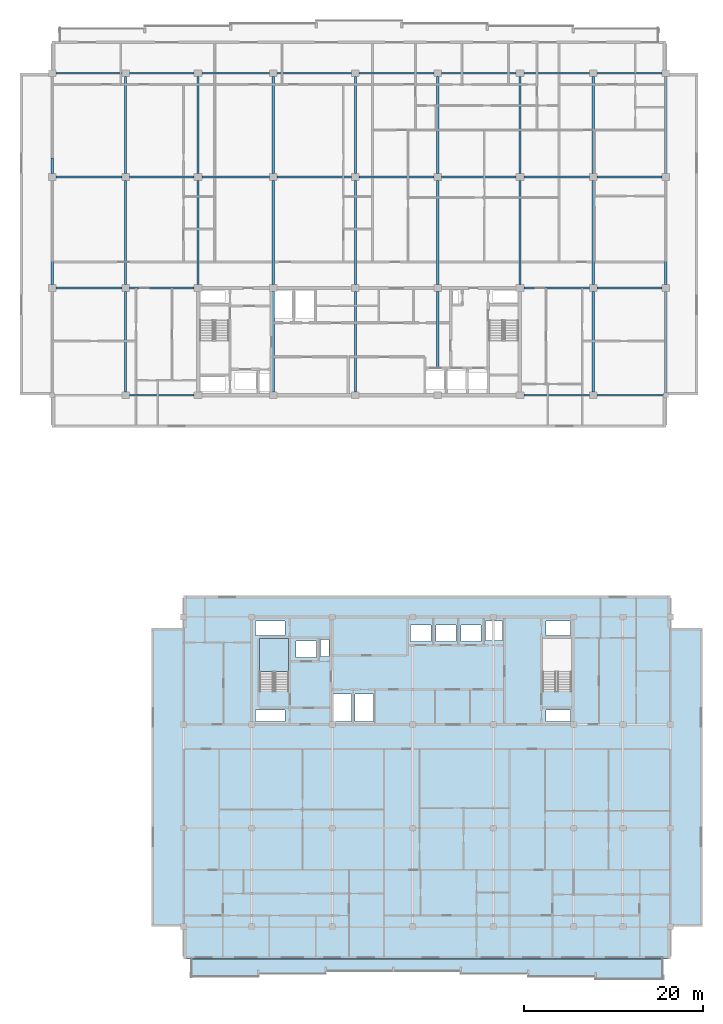
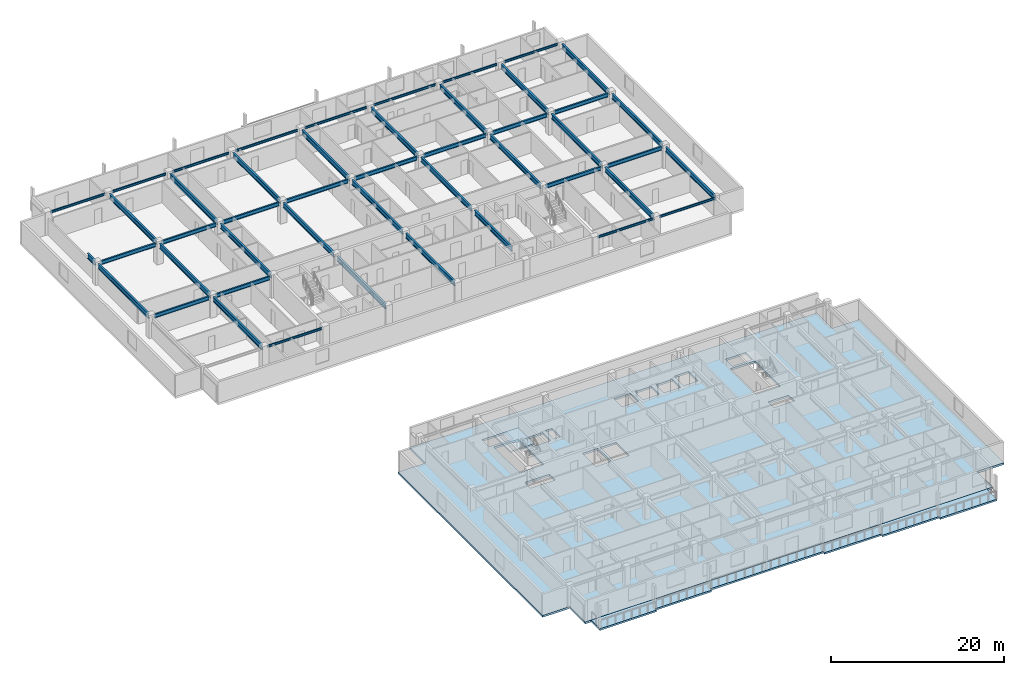
# One storey, part 2 of 22: 47 beams, 3 slabs, 1 element without a shape of its own.
"""IFC4 building model written with IfcOpenShell, lengths in metres."""

from ifc_helpers import new_model, si_unit, direction, frame, origin, origin_2d, place, context, subcontext, project, spatial, polyline, i_section, outline, extrude, material, layer, layer_set, material_profile, profile_set, type_object, element, aggregate, save


model = new_model("IFC4")

# Units and contexts
model_context = context("Model", 3, precision=1e-05, world=origin(), true_north=direction((0.0, 1.0)))
body_context = subcontext(model_context, "Body", "Model", "MODEL_VIEW")
ifc_project = project(units=[si_unit("LENGTHUNIT", "METRE"), si_unit("AREAUNIT", "SQUARE_METRE"), si_unit("VOLUMEUNIT", "CUBIC_METRE"), si_unit("PLANEANGLEUNIT", "RADIAN"), si_unit("MASSUNIT", "GRAM", prefix="KILO")], contexts=[model_context])

# Site, building, storey
site_placement = place(None, origin())
site = spatial("IfcSite", under=ifc_project, at=site_placement, CompositionType="ELEMENT")
building_placement = place(site_placement, origin())
building = spatial("IfcBuilding", under=site, at=building_placement, Name="Korimba Cascade Residences", CompositionType="ELEMENT")
storey_placement = place(building_placement, frame((0.0, 0.0, 194.60009765625)))
storey = spatial("IfcBuildingStorey", under=building, at=storey_placement, Name="L56", CompositionType="ELEMENT", Elevation=194.60009765625)

# Beams
ifc_material_1 = material(Name="Steel S355", Category="steel")
ifc_material_profile_1 = material_profile(ifc_material_1, i_section(OverallWidth=0.165771484375, OverallDepth=0.306640625, WebThickness=0.006591796875, FlangeThickness=0.01171875, FilletRadius=0.0087890625, at=origin_2d()), Name="Steel S355")
ifc_profile_set_1 = profile_set([ifc_material_profile_1], Name="Steel S355")
beam_type_1 = type_object("IfcBeamType", Name="BM-STL-UB305", PredefinedType="SPANDREL", material=ifc_profile_set_1)
beam_1_placement = place(storey_placement, frame((68.425048828125, 55.199951171875, 2.816650390625), z_axis=(1.0, 0.0, 0.0), x_axis=(0.0, 1.0, 0.0)))
element("IfcBeam", 1, at=beam_1_placement, inside=storey, type_object=beam_type_1, Name="L56 T1 E-W Girder Y1 Bay 2", PredefinedType="SPANDREL", context=body_context, shape_type="SweptSolid", body=[
    extrude(i_section(OverallWidth=0.165771484375, OverallDepth=0.306640625, WebThickness=0.006591796875, FlangeThickness=0.01171875, FilletRadius=0.0087890625, at=origin_2d()), origin(), (0.0, 0.0, 1.0), 7.25),
])
beam_2_placement = place(storey_placement, frame((112.52490234375, 55.199951171875, 2.816650390625), z_axis=(1.0, 0.0, 0.0), x_axis=(0.0, 1.0, 0.0)))
element("IfcBeam", 2, at=beam_2_placement, inside=storey, type_object=beam_type_1, Name="L56 T1 E-W Girder Y1 Bay 7", PredefinedType="SPANDREL", context=body_context, shape_type="SweptSolid", body=[
    extrude(i_section(OverallWidth=0.165771484375, OverallDepth=0.306640625, WebThickness=0.006591796875, FlangeThickness=0.01171875, FilletRadius=0.0087890625, at=origin_2d()), origin(), (0.0, 0.0, 1.0), 7.35009765625),
])
beam_3_placement = place(storey_placement, frame((120.72509765625, 55.199951171875, 2.816650390625), z_axis=(1.0, 0.0, 0.0), x_axis=(0.0, 1.0, 0.0)))
element("IfcBeam", 3, at=beam_3_placement, inside=storey, type_object=beam_type_1, Name="L56 T1 E-W Girder Y1 Bay 8", PredefinedType="SPANDREL", context=body_context, shape_type="SweptSolid", body=[
    extrude(i_section(OverallWidth=0.165771484375, OverallDepth=0.306640625, WebThickness=0.006591796875, FlangeThickness=0.01171875, FilletRadius=0.0087890625, at=origin_2d()), origin(), (0.0, 0.0, 1.0), 7.39990234375),
])
beam_4_placement = place(storey_placement, frame((60.22509765625, 91.199951171875, 2.816650390625), z_axis=(1.0, 0.0, 0.0), x_axis=(0.0, 1.0, 0.0)))
element("IfcBeam", 4, at=beam_4_placement, inside=storey, type_object=beam_type_1, Name="L56 T1 E-W Girder Y4 Bay 1", PredefinedType="SPANDREL", context=body_context, shape_type="SweptSolid", body=[
    extrude(i_section(OverallWidth=0.165771484375, OverallDepth=0.306640625, WebThickness=0.006591796875, FlangeThickness=0.01171875, FilletRadius=0.0087890625, at=origin_2d()), origin(), (0.0, 0.0, 1.0), 7.349853515625),
])
beam_5_placement = place(storey_placement, frame((68.425048828125, 91.199951171875, 2.816650390625), z_axis=(1.0, 0.0, 0.0), x_axis=(0.0, 1.0, 0.0)))
element("IfcBeam", 5, at=beam_5_placement, inside=storey, type_object=beam_type_1, Name="L56 T1 E-W Girder Y4 Bay 2", PredefinedType="SPANDREL", context=body_context, shape_type="SweptSolid", body=[
    extrude(i_section(OverallWidth=0.165771484375, OverallDepth=0.306640625, WebThickness=0.006591796875, FlangeThickness=0.01171875, FilletRadius=0.0087890625, at=origin_2d()), origin(), (0.0, 0.0, 1.0), 7.25),
])
beam_6_placement = place(storey_placement, frame((76.52490234375, 91.199951171875, 2.816650390625), z_axis=(1.0, 0.0, 0.0), x_axis=(0.0, 1.0, 0.0)))
element("IfcBeam", 6, at=beam_6_placement, inside=storey, type_object=beam_type_1, Name="L56 T1 E-W Girder Y4 Bay 3", PredefinedType="SPANDREL", context=body_context, shape_type="SweptSolid", body=[
    extrude(i_section(OverallWidth=0.165771484375, OverallDepth=0.306640625, WebThickness=0.006591796875, FlangeThickness=0.01171875, FilletRadius=0.0087890625, at=origin_2d()), origin(), (0.0, 0.0, 1.0), 7.550048828125),
])
beam_7_placement = place(storey_placement, frame((84.925048828125, 91.199951171875, 2.816650390625), z_axis=(1.0, 0.0, 0.0), x_axis=(0.0, 1.0, 0.0)))
element("IfcBeam", 7, at=beam_7_placement, inside=storey, type_object=beam_type_1, Name="L56 T1 E-W Girder Y4 Bay 4", PredefinedType="SPANDREL", context=body_context, shape_type="SweptSolid", body=[
    extrude(i_section(OverallWidth=0.165771484375, OverallDepth=0.306640625, WebThickness=0.006591796875, FlangeThickness=0.01171875, FilletRadius=0.0087890625, at=origin_2d()), origin(), (0.0, 0.0, 1.0), 8.349853515625),
])
for number, where, z_axis, x_axis, name in (
    (8, (94.125, 91.199951171875, 2.816650390625), (1.0, 0.0, 0.0), (0.0, 1.0, 0.0), "L56 T1 E-W Girder Y4 Bay 5"),
    (9, (103.324951171875, 91.199951171875, 2.816650390625), (1.0, 0.0, 0.0), (0.0, 1.0, 0.0), "L56 T1 E-W Girder Y4 Bay 6"),
):
    element("IfcBeam", number, at=place(storey_placement, frame(where, z_axis=z_axis, x_axis=x_axis)), inside=storey, type_object=beam_type_1, Name=name, PredefinedType="SPANDREL", context=body_context, shape_type="SweptSolid", body=[
        extrude(i_section(OverallWidth=0.165771484375, OverallDepth=0.306640625, WebThickness=0.006591796875, FlangeThickness=0.01171875, FilletRadius=0.0087890625, at=origin_2d()), origin(), (0.0, 0.0, 1.0), 8.35009765625),
    ])
beam_8_placement = place(storey_placement, frame((112.52490234375, 91.199951171875, 2.816650390625), z_axis=(1.0, 0.0, 0.0), x_axis=(0.0, 1.0, 0.0)))
element("IfcBeam", 10, at=beam_8_placement, inside=storey, type_object=beam_type_1, Name="L56 T1 E-W Girder Y4 Bay 7", PredefinedType="SPANDREL", context=body_context, shape_type="SweptSolid", body=[
    extrude(i_section(OverallWidth=0.165771484375, OverallDepth=0.306640625, WebThickness=0.006591796875, FlangeThickness=0.01171875, FilletRadius=0.0087890625, at=origin_2d()), origin(), (0.0, 0.0, 1.0), 7.35009765625),
])
beam_9_placement = place(storey_placement, frame((120.72509765625, 91.199951171875, 2.816650390625), z_axis=(1.0, 0.0, 0.0), x_axis=(0.0, 1.0, 0.0)))
element("IfcBeam", 11, at=beam_9_placement, inside=storey, type_object=beam_type_1, Name="L56 T1 E-W Girder Y4 Bay 8", PredefinedType="SPANDREL", context=body_context, shape_type="SweptSolid", body=[
    extrude(i_section(OverallWidth=0.165771484375, OverallDepth=0.306640625, WebThickness=0.006591796875, FlangeThickness=0.01171875, FilletRadius=0.0087890625, at=origin_2d()), origin(), (0.0, 0.0, 1.0), 7.25),
])
ifc_material_profile_2 = material_profile(ifc_material_1, i_section(OverallWidth=0.2099609375, OverallDepth=0.53662109375, WebThickness=0.0107421875, FlangeThickness=0.017333984375, FilletRadius=0.0126953125, at=origin_2d()), Name="Steel S355")
ifc_profile_set_2 = profile_set([ifc_material_profile_2], Name="Steel S355")
beam_type_2 = type_object("IfcBeamType", Name="BM-STL-UB533", PredefinedType="BEAM", material=ifc_profile_set_2)
beam_10_placement = place(storey_placement, frame((60.22509765625, 67.199951171875, 2.701416015625), z_axis=(1.0, 0.0, 0.0), x_axis=(0.0, 1.0, 0.0)))
element("IfcBeam", 12, at=beam_10_placement, inside=storey, type_object=beam_type_2, Name="L56 T1 E-W Girder Y2 Bay 1", PredefinedType="BEAM", context=body_context, shape_type="SweptSolid", body=[
    extrude(i_section(OverallWidth=0.2099609375, OverallDepth=0.53662109375, WebThickness=0.0107421875, FlangeThickness=0.017333984375, FilletRadius=0.0126953125, at=origin_2d()), origin(), (0.0, 0.0, 1.0), 7.349853515625),
])
beam_11_placement = place(storey_placement, frame((68.425048828125, 67.199951171875, 2.701416015625), z_axis=(1.0, 0.0, 0.0), x_axis=(0.0, 1.0, 0.0)))
element("IfcBeam", 13, at=beam_11_placement, inside=storey, type_object=beam_type_2, Name="L56 T1 E-W Girder Y2 Bay 2", PredefinedType="BEAM", context=body_context, shape_type="SweptSolid", body=[
    extrude(i_section(OverallWidth=0.2099609375, OverallDepth=0.53662109375, WebThickness=0.0107421875, FlangeThickness=0.017333984375, FilletRadius=0.0126953125, at=origin_2d()), origin(), (0.0, 0.0, 1.0), 7.25),
])
beam_12_placement = place(storey_placement, frame((112.52490234375, 67.199951171875, 2.701416015625), z_axis=(1.0, 0.0, 0.0), x_axis=(0.0, 1.0, 0.0)))
element("IfcBeam", 14, at=beam_12_placement, inside=storey, type_object=beam_type_2, Name="L56 T1 E-W Girder Y2 Bay 7", PredefinedType="BEAM", context=body_context, shape_type="SweptSolid", body=[
    extrude(i_section(OverallWidth=0.2099609375, OverallDepth=0.53662109375, WebThickness=0.0107421875, FlangeThickness=0.017333984375, FilletRadius=0.0126953125, at=origin_2d()), origin(), (0.0, 0.0, 1.0), 7.35009765625),
])
beam_13_placement = place(storey_placement, frame((120.72509765625, 67.199951171875, 2.701416015625), z_axis=(1.0, 0.0, 0.0), x_axis=(0.0, 1.0, 0.0)))
element("IfcBeam", 15, at=beam_13_placement, inside=storey, type_object=beam_type_2, Name="L56 T1 E-W Girder Y2 Bay 8", PredefinedType="BEAM", context=body_context, shape_type="SweptSolid", body=[
    extrude(i_section(OverallWidth=0.2099609375, OverallDepth=0.53662109375, WebThickness=0.0107421875, FlangeThickness=0.017333984375, FilletRadius=0.0126953125, at=origin_2d()), origin(), (0.0, 0.0, 1.0), 7.25),
])
beam_14_placement = place(storey_placement, frame((60.22509765625, 79.60009765625, 2.701416015625), z_axis=(1.0, 0.0, 0.0), x_axis=(0.0, 1.0, 0.0)))
element("IfcBeam", 16, at=beam_14_placement, inside=storey, type_object=beam_type_2, Name="L56 T1 E-W Girder Y3 Bay 1", PredefinedType="BEAM", context=body_context, shape_type="SweptSolid", body=[
    extrude(i_section(OverallWidth=0.2099609375, OverallDepth=0.53662109375, WebThickness=0.0107421875, FlangeThickness=0.017333984375, FilletRadius=0.0126953125, at=origin_2d()), origin(), (0.0, 0.0, 1.0), 7.349853515625),
])
beam_15_placement = place(storey_placement, frame((68.425048828125, 79.60009765625, 2.701416015625), z_axis=(1.0, 0.0, 0.0), x_axis=(0.0, 1.0, 0.0)))
element("IfcBeam", 17, at=beam_15_placement, inside=storey, type_object=beam_type_2, Name="L56 T1 E-W Girder Y3 Bay 2", PredefinedType="BEAM", context=body_context, shape_type="SweptSolid", body=[
    extrude(i_section(OverallWidth=0.2099609375, OverallDepth=0.53662109375, WebThickness=0.0107421875, FlangeThickness=0.017333984375, FilletRadius=0.0126953125, at=origin_2d()), origin(), (0.0, 0.0, 1.0), 7.25),
])
beam_16_placement = place(storey_placement, frame((76.52490234375, 79.60009765625, 2.701416015625), z_axis=(1.0, 0.0, 0.0), x_axis=(0.0, 1.0, 0.0)))
element("IfcBeam", 18, at=beam_16_placement, inside=storey, type_object=beam_type_2, Name="L56 T1 E-W Girder Y3 Bay 3", PredefinedType="BEAM", context=body_context, shape_type="SweptSolid", body=[
    extrude(i_section(OverallWidth=0.2099609375, OverallDepth=0.53662109375, WebThickness=0.0107421875, FlangeThickness=0.017333984375, FilletRadius=0.0126953125, at=origin_2d()), origin(), (0.0, 0.0, 1.0), 7.550048828125),
])
beam_17_placement = place(storey_placement, frame((84.925048828125, 79.60009765625, 2.701416015625), z_axis=(1.0, 0.0, 0.0), x_axis=(0.0, 1.0, 0.0)))
element("IfcBeam", 19, at=beam_17_placement, inside=storey, type_object=beam_type_2, Name="L56 T1 E-W Girder Y3 Bay 4", PredefinedType="BEAM", context=body_context, shape_type="SweptSolid", body=[
    extrude(i_section(OverallWidth=0.2099609375, OverallDepth=0.53662109375, WebThickness=0.0107421875, FlangeThickness=0.017333984375, FilletRadius=0.0126953125, at=origin_2d()), origin(), (0.0, 0.0, 1.0), 8.349853515625),
])
for number, where, z_axis, x_axis, name in (
    (20, (94.125, 79.60009765625, 2.701416015625), (1.0, 0.0, 0.0), (0.0, 1.0, 0.0), "L56 T1 E-W Girder Y3 Bay 5"),
    (21, (103.324951171875, 79.60009765625, 2.701416015625), (1.0, 0.0, 0.0), (0.0, 1.0, 0.0), "L56 T1 E-W Girder Y3 Bay 6"),
):
    element("IfcBeam", number, at=place(storey_placement, frame(where, z_axis=z_axis, x_axis=x_axis)), inside=storey, type_object=beam_type_2, Name=name, PredefinedType="BEAM", context=body_context, shape_type="SweptSolid", body=[
        extrude(i_section(OverallWidth=0.2099609375, OverallDepth=0.53662109375, WebThickness=0.0107421875, FlangeThickness=0.017333984375, FilletRadius=0.0126953125, at=origin_2d()), origin(), (0.0, 0.0, 1.0), 8.35009765625),
    ])
beam_18_placement = place(storey_placement, frame((112.52490234375, 79.60009765625, 2.701416015625), z_axis=(1.0, 0.0, 0.0), x_axis=(0.0, 1.0, 0.0)))
element("IfcBeam", 22, at=beam_18_placement, inside=storey, type_object=beam_type_2, Name="L56 T1 E-W Girder Y3 Bay 7", PredefinedType="BEAM", context=body_context, shape_type="SweptSolid", body=[
    extrude(i_section(OverallWidth=0.2099609375, OverallDepth=0.53662109375, WebThickness=0.0107421875, FlangeThickness=0.017333984375, FilletRadius=0.0126953125, at=origin_2d()), origin(), (0.0, 0.0, 1.0), 7.35009765625),
])
beam_19_placement = place(storey_placement, frame((120.72509765625, 79.60009765625, 2.701416015625), z_axis=(1.0, 0.0, 0.0), x_axis=(0.0, 1.0, 0.0)))
element("IfcBeam", 23, at=beam_19_placement, inside=storey, type_object=beam_type_2, Name="L56 T1 E-W Girder Y3 Bay 8", PredefinedType="BEAM", context=body_context, shape_type="SweptSolid", body=[
    extrude(i_section(OverallWidth=0.2099609375, OverallDepth=0.53662109375, WebThickness=0.0107421875, FlangeThickness=0.017333984375, FilletRadius=0.0126953125, at=origin_2d()), origin(), (0.0, 0.0, 1.0), 7.25),
])
ifc_material_profile_3 = material_profile(ifc_material_1, i_section(OverallWidth=0.255859375, OverallDepth=0.69287109375, WebThickness=0.014404296875, FlangeThickness=0.023681640625, FilletRadius=0.01513671875, at=origin_2d()), Name="Steel S355")
ifc_profile_set_3 = profile_set([ifc_material_profile_3], Name="Steel S355")
beam_type_3 = type_object("IfcBeamType", Name="BM-STL-UB686", PredefinedType="BEAM", material=ifc_profile_set_3)
beam_20_placement = place(storey_placement, frame((59.800048828125, 67.574951171875, 2.623291015625), z_axis=(0.0, 1.0, 0.0), x_axis=(-1.0, 0.0, 0.0)))
element("IfcBeam", 24, at=beam_20_placement, inside=storey, type_object=beam_type_3, Name="L56 T1 N-S Girder X1 Seg 2", PredefinedType="BEAM", context=body_context, shape_type="SweptSolid", body=[
    extrude(i_section(OverallWidth=0.255859375, OverallDepth=0.69287109375, WebThickness=0.014404296875, FlangeThickness=0.023681640625, FilletRadius=0.01513671875, at=origin_2d()), origin(), (0.0, 0.0, 1.0), 11.650146484375),
])
beam_21_placement = place(storey_placement, frame((59.800048828125, 79.97509765625, 2.623291015625), z_axis=(0.0, 1.0, 0.0), x_axis=(-1.0, 0.0, 0.0)))
element("IfcBeam", 25, at=beam_21_placement, inside=storey, type_object=beam_type_3, Name="L56 T1 N-S Girder X1 Seg 3", PredefinedType="BEAM", context=body_context, shape_type="SweptSolid", body=[
    extrude(i_section(OverallWidth=0.255859375, OverallDepth=0.69287109375, WebThickness=0.014404296875, FlangeThickness=0.023681640625, FilletRadius=0.01513671875, at=origin_2d()), origin(), (0.0, 0.0, 1.0), 1.724853515625),
])
beam_22_placement = place(storey_placement, frame((68.0, 55.574951171875, 2.623291015625), z_axis=(0.0, 1.0, 0.0), x_axis=(-1.0, 0.0, 0.0)))
element("IfcBeam", 26, at=beam_22_placement, inside=storey, type_object=beam_type_3, Name="L56 T1 N-S Girder X2 Seg 1", PredefinedType="BEAM", context=body_context, shape_type="SweptSolid", body=[
    extrude(i_section(OverallWidth=0.255859375, OverallDepth=0.69287109375, WebThickness=0.014404296875, FlangeThickness=0.023681640625, FilletRadius=0.01513671875, at=origin_2d()), origin(), (0.0, 0.0, 1.0), 11.25),
])
beam_23_placement = place(storey_placement, frame((68.0, 67.574951171875, 2.623291015625), z_axis=(0.0, 1.0, 0.0), x_axis=(-1.0, 0.0, 0.0)))
element("IfcBeam", 27, at=beam_23_placement, inside=storey, type_object=beam_type_3, Name="L56 T1 N-S Girder X2 Seg 2", PredefinedType="BEAM", context=body_context, shape_type="SweptSolid", body=[
    extrude(i_section(OverallWidth=0.255859375, OverallDepth=0.69287109375, WebThickness=0.014404296875, FlangeThickness=0.023681640625, FilletRadius=0.01513671875, at=origin_2d()), origin(), (0.0, 0.0, 1.0), 11.650146484375),
])
beam_24_placement = place(storey_placement, frame((68.0, 79.97509765625, 2.623291015625), z_axis=(0.0, 1.0, 0.0), x_axis=(-1.0, 0.0, 0.0)))
element("IfcBeam", 28, at=beam_24_placement, inside=storey, type_object=beam_type_3, Name="L56 T1 N-S Girder X2 Seg 3", PredefinedType="BEAM", context=body_context, shape_type="SweptSolid", body=[
    extrude(i_section(OverallWidth=0.255859375, OverallDepth=0.69287109375, WebThickness=0.014404296875, FlangeThickness=0.023681640625, FilletRadius=0.01513671875, at=origin_2d()), origin(), (0.0, 0.0, 1.0), 10.849853515625),
])
beam_25_placement = place(storey_placement, frame((76.10009765625, 67.574951171875, 2.623291015625), z_axis=(0.0, 1.0, 0.0), x_axis=(-1.0, 0.0, 0.0)))
element("IfcBeam", 29, at=beam_25_placement, inside=storey, type_object=beam_type_3, Name="L56 T1 N-S Girder X3 Seg 2", PredefinedType="BEAM", context=body_context, shape_type="SweptSolid", body=[
    extrude(i_section(OverallWidth=0.255859375, OverallDepth=0.69287109375, WebThickness=0.014404296875, FlangeThickness=0.023681640625, FilletRadius=0.01513671875, at=origin_2d()), origin(), (0.0, 0.0, 1.0), 11.650146484375),
])
beam_26_placement = place(storey_placement, frame((76.10009765625, 79.97509765625, 2.623291015625), z_axis=(0.0, 1.0, 0.0), x_axis=(-1.0, 0.0, 0.0)))
element("IfcBeam", 30, at=beam_26_placement, inside=storey, type_object=beam_type_3, Name="L56 T1 N-S Girder X3 Seg 3", PredefinedType="BEAM", context=body_context, shape_type="SweptSolid", body=[
    extrude(i_section(OverallWidth=0.255859375, OverallDepth=0.69287109375, WebThickness=0.014404296875, FlangeThickness=0.023681640625, FilletRadius=0.01513671875, at=origin_2d()), origin(), (0.0, 0.0, 1.0), 10.849853515625),
])
beam_27_placement = place(storey_placement, frame((84.5, 55.574951171875, 2.623291015625), z_axis=(0.0, 1.0, 0.0), x_axis=(-1.0, 0.0, 0.0)))
element("IfcBeam", 31, at=beam_27_placement, inside=storey, type_object=beam_type_3, Name="L56 T1 N-S Girder X4 Seg 1", PredefinedType="BEAM", context=body_context, shape_type="SweptSolid", body=[
    extrude(i_section(OverallWidth=0.255859375, OverallDepth=0.69287109375, WebThickness=0.014404296875, FlangeThickness=0.023681640625, FilletRadius=0.01513671875, at=origin_2d()), origin(), (0.0, 0.0, 1.0), 11.25),
])
beam_28_placement = place(storey_placement, frame((84.5, 67.574951171875, 2.623291015625), z_axis=(0.0, 1.0, 0.0), x_axis=(-1.0, 0.0, 0.0)))
element("IfcBeam", 32, at=beam_28_placement, inside=storey, type_object=beam_type_3, Name="L56 T1 N-S Girder X4 Seg 2", PredefinedType="BEAM", context=body_context, shape_type="SweptSolid", body=[
    extrude(i_section(OverallWidth=0.255859375, OverallDepth=0.69287109375, WebThickness=0.014404296875, FlangeThickness=0.023681640625, FilletRadius=0.01513671875, at=origin_2d()), origin(), (0.0, 0.0, 1.0), 11.650146484375),
])
beam_29_placement = place(storey_placement, frame((84.5, 79.97509765625, 2.623291015625), z_axis=(0.0, 1.0, 0.0), x_axis=(-1.0, 0.0, 0.0)))
element("IfcBeam", 33, at=beam_29_placement, inside=storey, type_object=beam_type_3, Name="L56 T1 N-S Girder X4 Seg 3", PredefinedType="BEAM", context=body_context, shape_type="SweptSolid", body=[
    extrude(i_section(OverallWidth=0.255859375, OverallDepth=0.69287109375, WebThickness=0.014404296875, FlangeThickness=0.023681640625, FilletRadius=0.01513671875, at=origin_2d()), origin(), (0.0, 0.0, 1.0), 10.849853515625),
])
beam_30_placement = place(storey_placement, frame((93.699951171875, 55.574951171875, 2.623291015625), z_axis=(0.0, 1.0, 0.0), x_axis=(-1.0, 0.0, 0.0)))
element("IfcBeam", 34, at=beam_30_placement, inside=storey, type_object=beam_type_3, Name="L56 T1 N-S Girder X5 Seg 1", PredefinedType="BEAM", context=body_context, shape_type="SweptSolid", body=[
    extrude(i_section(OverallWidth=0.255859375, OverallDepth=0.69287109375, WebThickness=0.014404296875, FlangeThickness=0.023681640625, FilletRadius=0.01513671875, at=origin_2d()), origin(), (0.0, 0.0, 1.0), 11.25),
])
beam_31_placement = place(storey_placement, frame((93.699951171875, 67.574951171875, 2.623291015625), z_axis=(0.0, 1.0, 0.0), x_axis=(-1.0, 0.0, 0.0)))
element("IfcBeam", 35, at=beam_31_placement, inside=storey, type_object=beam_type_3, Name="L56 T1 N-S Girder X5 Seg 2", PredefinedType="BEAM", context=body_context, shape_type="SweptSolid", body=[
    extrude(i_section(OverallWidth=0.255859375, OverallDepth=0.69287109375, WebThickness=0.014404296875, FlangeThickness=0.023681640625, FilletRadius=0.01513671875, at=origin_2d()), origin(), (0.0, 0.0, 1.0), 11.650146484375),
])
beam_32_placement = place(storey_placement, frame((93.699951171875, 79.97509765625, 2.623291015625), z_axis=(0.0, 1.0, 0.0), x_axis=(-1.0, 0.0, 0.0)))
element("IfcBeam", 36, at=beam_32_placement, inside=storey, type_object=beam_type_3, Name="L56 T1 N-S Girder X5 Seg 3", PredefinedType="BEAM", context=body_context, shape_type="SweptSolid", body=[
    extrude(i_section(OverallWidth=0.255859375, OverallDepth=0.69287109375, WebThickness=0.014404296875, FlangeThickness=0.023681640625, FilletRadius=0.01513671875, at=origin_2d()), origin(), (0.0, 0.0, 1.0), 10.849853515625),
])
beam_33_placement = place(storey_placement, frame((102.89990234375, 58.260009765625, 2.623291015625), z_axis=(0.0, 1.0, 0.0), x_axis=(-1.0, 0.0, 0.0)))
element("IfcBeam", 37, at=beam_33_placement, inside=storey, type_object=beam_type_3, Name="L56 T1 N-S Girder X6 Seg 1", PredefinedType="BEAM", context=body_context, shape_type="SweptSolid", body=[
    extrude(i_section(OverallWidth=0.255859375, OverallDepth=0.69287109375, WebThickness=0.014404296875, FlangeThickness=0.023681640625, FilletRadius=0.01513671875, at=origin_2d()), origin(), (0.0, 0.0, 1.0), 8.56494140625),
])
beam_34_placement = place(storey_placement, frame((102.89990234375, 67.574951171875, 2.623291015625), z_axis=(0.0, 1.0, 0.0), x_axis=(-1.0, 0.0, 0.0)))
element("IfcBeam", 38, at=beam_34_placement, inside=storey, type_object=beam_type_3, Name="L56 T1 N-S Girder X6 Seg 2", PredefinedType="BEAM", context=body_context, shape_type="SweptSolid", body=[
    extrude(i_section(OverallWidth=0.255859375, OverallDepth=0.69287109375, WebThickness=0.014404296875, FlangeThickness=0.023681640625, FilletRadius=0.01513671875, at=origin_2d()), origin(), (0.0, 0.0, 1.0), 11.650146484375),
])
beam_35_placement = place(storey_placement, frame((102.89990234375, 79.97509765625, 2.623291015625), z_axis=(0.0, 1.0, 0.0), x_axis=(-1.0, 0.0, 0.0)))
element("IfcBeam", 39, at=beam_35_placement, inside=storey, type_object=beam_type_3, Name="L56 T1 N-S Girder X6 Seg 3", PredefinedType="BEAM", context=body_context, shape_type="SweptSolid", body=[
    extrude(i_section(OverallWidth=0.255859375, OverallDepth=0.69287109375, WebThickness=0.014404296875, FlangeThickness=0.023681640625, FilletRadius=0.01513671875, at=origin_2d()), origin(), (0.0, 0.0, 1.0), 10.849853515625),
])
beam_36_placement = place(storey_placement, frame((112.10009765625, 67.574951171875, 2.623291015625), z_axis=(0.0, 1.0, 0.0), x_axis=(-1.0, 0.0, 0.0)))
element("IfcBeam", 40, at=beam_36_placement, inside=storey, type_object=beam_type_3, Name="L56 T1 N-S Girder X7 Seg 2", PredefinedType="BEAM", context=body_context, shape_type="SweptSolid", body=[
    extrude(i_section(OverallWidth=0.255859375, OverallDepth=0.69287109375, WebThickness=0.014404296875, FlangeThickness=0.023681640625, FilletRadius=0.01513671875, at=origin_2d()), origin(), (0.0, 0.0, 1.0), 11.650146484375),
])
beam_37_placement = place(storey_placement, frame((112.10009765625, 79.97509765625, 2.623291015625), z_axis=(0.0, 1.0, 0.0), x_axis=(-1.0, 0.0, 0.0)))
element("IfcBeam", 41, at=beam_37_placement, inside=storey, type_object=beam_type_3, Name="L56 T1 N-S Girder X7 Seg 3", PredefinedType="BEAM", context=body_context, shape_type="SweptSolid", body=[
    extrude(i_section(OverallWidth=0.255859375, OverallDepth=0.69287109375, WebThickness=0.014404296875, FlangeThickness=0.023681640625, FilletRadius=0.01513671875, at=origin_2d()), origin(), (0.0, 0.0, 1.0), 10.849853515625),
])
beam_38_placement = place(storey_placement, frame((120.300048828125, 55.574951171875, 2.623291015625), z_axis=(0.0, 1.0, 0.0), x_axis=(-1.0, 0.0, 0.0)))
element("IfcBeam", 42, at=beam_38_placement, inside=storey, type_object=beam_type_3, Name="L56 T1 N-S Girder X8 Seg 1", PredefinedType="BEAM", context=body_context, shape_type="SweptSolid", body=[
    extrude(i_section(OverallWidth=0.255859375, OverallDepth=0.69287109375, WebThickness=0.014404296875, FlangeThickness=0.023681640625, FilletRadius=0.01513671875, at=origin_2d()), origin(), (0.0, 0.0, 1.0), 11.25),
])
beam_39_placement = place(storey_placement, frame((120.300048828125, 67.574951171875, 2.623291015625), z_axis=(0.0, 1.0, 0.0), x_axis=(-1.0, 0.0, 0.0)))
element("IfcBeam", 43, at=beam_39_placement, inside=storey, type_object=beam_type_3, Name="L56 T1 N-S Girder X8 Seg 2", PredefinedType="BEAM", context=body_context, shape_type="SweptSolid", body=[
    extrude(i_section(OverallWidth=0.255859375, OverallDepth=0.69287109375, WebThickness=0.014404296875, FlangeThickness=0.023681640625, FilletRadius=0.01513671875, at=origin_2d()), origin(), (0.0, 0.0, 1.0), 11.650146484375),
])
beam_40_placement = place(storey_placement, frame((120.300048828125, 79.97509765625, 2.623291015625), z_axis=(0.0, 1.0, 0.0), x_axis=(-1.0, 0.0, 0.0)))
element("IfcBeam", 44, at=beam_40_placement, inside=storey, type_object=beam_type_3, Name="L56 T1 N-S Girder X8 Seg 3", PredefinedType="BEAM", context=body_context, shape_type="SweptSolid", body=[
    extrude(i_section(OverallWidth=0.255859375, OverallDepth=0.69287109375, WebThickness=0.014404296875, FlangeThickness=0.023681640625, FilletRadius=0.01513671875, at=origin_2d()), origin(), (0.0, 0.0, 1.0), 10.849853515625),
])
beam_41_placement = place(storey_placement, frame((128.39990234375, 55.425048828125, 2.623291015625), z_axis=(0.0, 1.0, 0.0), x_axis=(-1.0, 0.0, 0.0)))
element("IfcBeam", 45, at=beam_41_placement, inside=storey, type_object=beam_type_3, Name="L56 T1 N-S Girder X9 Seg 1", PredefinedType="BEAM", context=body_context, shape_type="SweptSolid", body=[
    extrude(i_section(OverallWidth=0.255859375, OverallDepth=0.69287109375, WebThickness=0.014404296875, FlangeThickness=0.023681640625, FilletRadius=0.01513671875, at=origin_2d()), origin(), (0.0, 0.0, 1.0), 11.39990234375),
])
beam_42_placement = place(storey_placement, frame((128.39990234375, 67.574951171875, 2.623291015625), z_axis=(0.0, 1.0, 0.0), x_axis=(-1.0, 0.0, 0.0)))
element("IfcBeam", 46, at=beam_42_placement, inside=storey, type_object=beam_type_3, Name="L56 T1 N-S Girder X9 Seg 2", PredefinedType="BEAM", context=body_context, shape_type="SweptSolid", body=[
    extrude(i_section(OverallWidth=0.255859375, OverallDepth=0.69287109375, WebThickness=0.014404296875, FlangeThickness=0.023681640625, FilletRadius=0.01513671875, at=origin_2d()), origin(), (0.0, 0.0, 1.0), 11.650146484375),
])
beam_43_placement = place(storey_placement, frame((128.39990234375, 79.97509765625, 2.623291015625), z_axis=(0.0, 1.0, 0.0), x_axis=(-1.0, 0.0, 0.0)))
element("IfcBeam", 47, at=beam_43_placement, inside=storey, type_object=beam_type_3, Name="L56 T1 N-S Girder X9 Seg 3", PredefinedType="BEAM", context=body_context, shape_type="SweptSolid", body=[
    extrude(i_section(OverallWidth=0.255859375, OverallDepth=0.69287109375, WebThickness=0.014404296875, FlangeThickness=0.023681640625, FilletRadius=0.01513671875, at=origin_2d()), origin(), (0.0, 0.0, 1.0), 10.849853515625),
])

# Stair, slab
ifc_material_2 = material(Name="Concrete C50/60", Category="concrete")
stair_type = type_object("IfcStairType", Name="STR-E1-18R-1806", PredefinedType="HALF_TURN_STAIR", material=ifc_material_2)
stair_placement = place(storey_placement, origin())
stair = element("IfcStair", 48, at=stair_placement, inside=storey, type_object=stair_type, Name="L56 Tower 2 West Fire Stair ST-E1", PredefinedType="HALF_TURN_STAIR")
ifc_layer_1 = layer(ifc_material_2, 0.199951171875)
ifc_layer_set_1 = layer_set([ifc_layer_1], Name="Concrete C50/60")
slab_type_1 = type_object("IfcSlabType", Name="SLB-LND-220", PredefinedType="LANDING", material=ifc_layer_set_1)
slab_1_placement = place(storey_placement, frame((0.0, 0.0, 1.4248046875)))
slab_1 = element("IfcSlab", 49, at=slab_1_placement, type_object=slab_type_1, Name="ST-E1 landing 1", PredefinedType="LANDING", context=body_context, shape_type="SweptSolid", body=[
    extrude(outline(polyline([(86.239990234375, 24.2900390625), (86.239990234375, 28.0), (83.0, 28.0), (83.0, 24.2900390625), (86.239990234375, 24.2900390625)])), origin(), (0.0, 0.0, 1.0), 0.2001953125),
])
aggregate(stair, [slab_1])

# Slabs
ifc_material_3 = material(Name="Precast concrete C40/50", Category="concrete")
ifc_layer_2 = layer(ifc_material_3, 0.239990234375)
ifc_layer_set_2 = layer_set([ifc_layer_2], Name="Precast concrete C40/50")
slab_type_2 = type_object("IfcSlabType", Name="SLB-LOG-240", PredefinedType="FLOOR", material=ifc_layer_set_2)
slab_2_placement = place(storey_placement, frame((0.0, 0.0, -0.239990234375)))
element("IfcSlab", 50, at=slab_2_placement, inside=storey, type_object=slab_type_2, Name="L56 Tower 2 South Loggia Slab", PredefinedType="FLOOR", context=body_context, shape_type="SweptSolid", body=[
    extrude(outline(polyline([(75.300048828125, -9.85009765625), (82.843017578125, -9.85009765625), (82.843017578125, -9.550048828125), (90.3857421875, -9.550048828125), (90.3857421875, -9.25), (105.471435546875, -9.25), (105.471435546875, -9.550048828125), (113.014404296875, -9.550048828125), (113.014404296875, -9.85009765625), (120.55712890625, -9.85009765625), (120.55712890625, -10.14990234375), (128.10009765625, -10.14990234375), (128.10009765625, -7.800048828125), (75.300048828125, -7.800048828125), (75.300048828125, -9.85009765625)])), origin(), (0.0, 0.0, 1.0), 0.239990234375),
])
ifc_layer_3 = layer(ifc_material_2, 0.280029296875)
ifc_layer_set_3 = layer_set([ifc_layer_3], Name="Concrete C50/60")
slab_type_3 = type_object("IfcSlabType", Name="SLB-TYP-280", PredefinedType="FLOOR", material=ifc_layer_set_3)
slab_3_placement = place(storey_placement, frame((0.0, 0.0, -0.280029296875)))
element("IfcSlab", 51, at=slab_3_placement, inside=storey, type_object=slab_type_3, Name="L56 Tower 2 Floor Slab", PredefinedType="FLOOR", context=body_context, shape_type="SweptSolid", body=[
    extrude(outline(polyline([(74.5, -7.800048828125), (128.89990234375, -7.800048828125), (128.89990234375, -4.199951171875), (132.5, -4.199951171875), (132.5, 29.199951171875), (128.89990234375, 29.199951171875), (128.89990234375, 32.800048828125), (74.5, 32.800048828125), (74.5, 29.199951171875), (70.89990234375, 29.199951171875), (70.89990234375, -4.199951171875), (74.5, -4.199951171875), (74.5, -7.800048828125)]), holes=[polyline([(86.239990234375, 22.0849609375), (86.239990234375, 28.0), (83.0, 28.0), (83.0, 22.0849609375), (86.239990234375, 22.0849609375)]), polyline([(117.840087890625, 22.0849609375), (117.840087890625, 28.0), (114.60009765625, 28.0), (114.60009765625, 22.0849609375), (117.840087890625, 22.0849609375)]), polyline([(87.030029296875, 25.8798828125), (89.3701171875, 25.8798828125), (89.3701171875, 27.719970703125), (87.030029296875, 27.719970703125), (87.030029296875, 25.8798828125)]), polyline([(99.8798828125, 27.679931640625), (102.1201171875, 27.679931640625), (102.1201171875, 29.52001953125), (99.8798828125, 29.52001953125), (99.8798828125, 27.679931640625)]), polyline([(102.679931640625, 27.679931640625), (104.919921875, 27.679931640625), (104.919921875, 29.52001953125), (102.679931640625, 29.52001953125), (102.679931640625, 27.679931640625)]), polyline([(105.47998046875, 27.679931640625), (107.719970703125, 27.679931640625), (107.719970703125, 29.52001953125), (105.47998046875, 29.52001953125), (105.47998046875, 27.679931640625)]), polyline([(89.780029296875, 25.97998046875), (90.719970703125, 25.97998046875), (90.719970703125, 27.919921875), (89.780029296875, 27.919921875), (89.780029296875, 25.97998046875)]), polyline([(82.530029296875, 18.72998046875), (85.800048828125, 18.72998046875), (85.800048828125, 20.0400390625), (82.530029296875, 20.0400390625), (82.530029296875, 18.72998046875)]), polyline([(82.530029296875, 28.360107421875), (85.800048828125, 28.360107421875), (85.800048828125, 29.969970703125), (82.530029296875, 29.969970703125), (82.530029296875, 28.360107421875)]), polyline([(108.22998046875, 27.780029296875), (110.1201171875, 27.780029296875), (110.1201171875, 29.969970703125), (108.22998046875, 29.969970703125), (108.22998046875, 27.780029296875)]), polyline([(91.22998046875, 18.72998046875), (93.27001953125, 18.72998046875), (93.27001953125, 21.780029296875), (91.22998046875, 21.780029296875), (91.22998046875, 18.72998046875)]), polyline([(93.6298828125, 18.72998046875), (95.719970703125, 18.72998046875), (95.719970703125, 21.780029296875), (93.6298828125, 21.780029296875), (93.6298828125, 18.72998046875)]), polyline([(115.02001953125, 18.72998046875), (117.739990234375, 18.72998046875), (117.739990234375, 20.0400390625), (115.02001953125, 20.0400390625), (115.02001953125, 18.72998046875)]), polyline([(115.02001953125, 28.360107421875), (117.739990234375, 28.360107421875), (117.739990234375, 29.969970703125), (115.02001953125, 29.969970703125), (115.02001953125, 28.360107421875)])]), origin(), (0.0, 0.0, 1.0), 0.280029296875),
])

save(model, "model.ifc")
